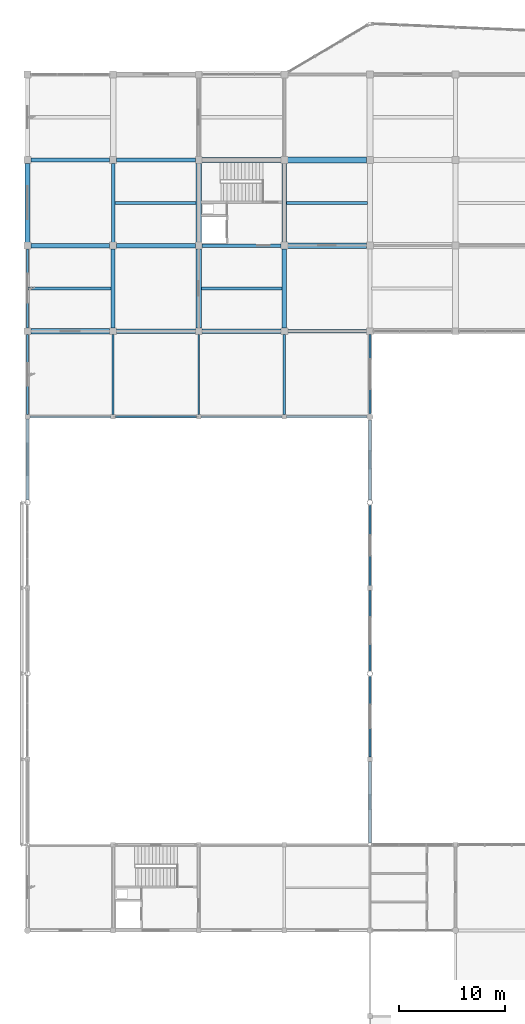
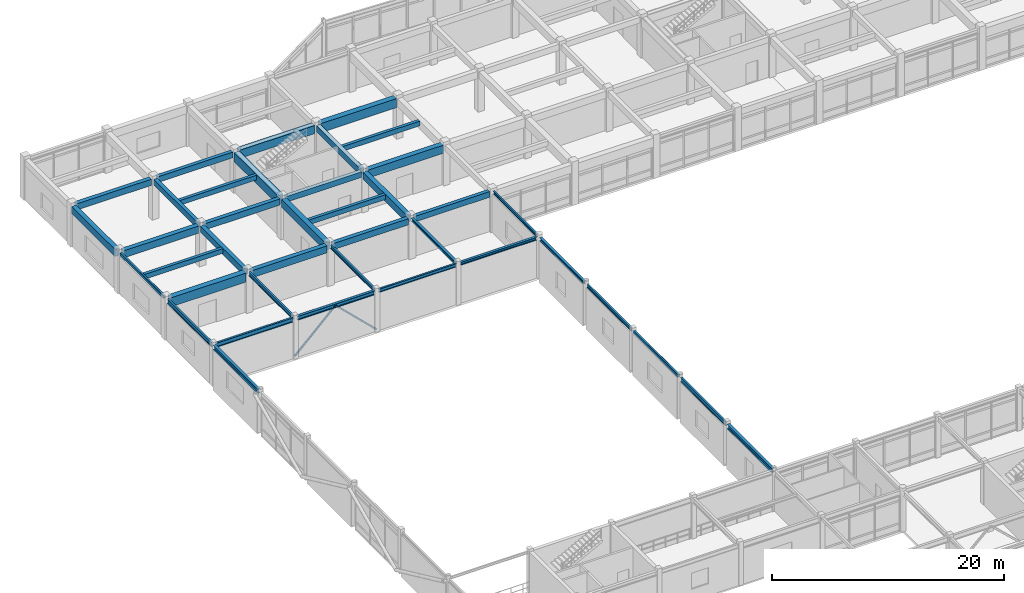
# One storey, part 28 of 93: 39 beams, 2 members.
"""IFC4 building model written with IfcOpenShell, lengths in metres."""

from ifc_helpers import new_model, si_unit, direction, frame, origin, origin_2d, place, context, subcontext, project, spatial, rectangle, hollow_rectangle, i_section, extrude, material, material_profile, profile_set, type_object, element, save


model = new_model("IFC4")

# Units and contexts
model_context = context("Model", 3, precision=1e-05, world=origin(), true_north=direction((0.0, 1.0)))
body_context = subcontext(model_context, "Body", "Model", "MODEL_VIEW")
ifc_project = project(units=[si_unit("LENGTHUNIT", "METRE"), si_unit("AREAUNIT", "SQUARE_METRE"), si_unit("VOLUMEUNIT", "CUBIC_METRE"), si_unit("PLANEANGLEUNIT", "RADIAN"), si_unit("MASSUNIT", "GRAM", prefix="KILO")], contexts=[model_context])

# Site, building, storey
site_placement = place(None, origin())
site = spatial("IfcSite", under=ifc_project, at=site_placement, CompositionType="ELEMENT")
building_placement = place(site_placement, origin())
building = spatial("IfcBuilding", under=site, at=building_placement, Name="Vaudrelin Polytechnic", CompositionType="ELEMENT")
storey_placement = place(building_placement, frame((0.0, 0.0, 5.10009765625)))
storey = spatial("IfcBuildingStorey", under=building, at=storey_placement, Name="L01", CompositionType="ELEMENT", Elevation=5.10009765625)

# Beams
ifc_material_1 = material(Name="Concrete 40 MPa", Category="concrete")
ifc_material_profile_1 = material_profile(ifc_material_1, rectangle(XDim=0.35009765625, YDim=0.60009765625, at=origin_2d()), Name="RC350x600")
ifc_profile_set_1 = profile_set([ifc_material_profile_1], Name="Concrete 40 MPa")
beam_type_1 = type_object("IfcBeamType", Name="BM-BM-RC3560", PredefinedType="BEAM", material=ifc_profile_set_1)
beam_1_placement = place(storey_placement, frame((8.10009765625, 105.610107421875, 3.949951171875), z_axis=(0.0, 1.0, 0.0), x_axis=(-1.0, 0.0, 0.0)))
element("IfcBeam", 1, at=beam_1_placement, inside=storey, type_object=beam_type_1, Name="L01 Y-beam 2-14", PredefinedType="BEAM", context=body_context, shape_type="SweptSolid", body=[
    extrude(rectangle(XDim=0.35009765625, YDim=0.60009765625, at=origin_2d()), origin(), (0.0, 0.0, 1.0), 7.47998046875),
])
for number, where, z_axis, x_axis, name in (
    (2, (8.4208984375, 113.39990234375, 3.949951171875), (1.0, 0.0, 0.0), (0.0, 1.0, 0.0), "L01 X-beam 2-15"),
    (3, (16.52099609375, 105.300048828125, 3.949951171875), (1.0, 0.0, 0.0), (0.0, 1.0, 0.0), "L01 X-beam 3-14"),
    (4, (24.62109375, 97.199951171875, 3.949951171875), (1.0, 0.0, 0.0), (0.0, 1.0, 0.0), "L01 X-beam 4-13"),
):
    element("IfcBeam", number, at=place(storey_placement, frame(where, z_axis=z_axis, x_axis=x_axis)), inside=storey, type_object=beam_type_1, Name=name, PredefinedType="BEAM", context=body_context, shape_type="SweptSolid", body=[
        extrude(rectangle(XDim=0.35009765625, YDim=0.60009765625, at=origin_2d()), origin(), (0.0, 0.0, 1.0), 7.4580078125),
    ])
ifc_material_profile_2 = material_profile(ifc_material_1, rectangle(XDim=0.39990234375, YDim=0.64990234375, at=origin_2d()), Name="RC400x650")
ifc_profile_set_2 = profile_set([ifc_material_profile_2], Name="Concrete 40 MPa")
beam_type_2 = type_object("IfcBeamType", Name="BM-BM-RC4065", PredefinedType="BEAM", material=ifc_profile_set_2)
for number, where, z_axis, x_axis, name in (
    (5, (8.10009765625, 97.510009765625, 3.9248046875), (0.0, 1.0, 0.0), (-1.0, 0.0, 0.0), "L01 Y-beam 2-13"),
    (6, (24.300048828125, 105.610107421875, 3.9248046875), (0.0, 1.0, 0.0), (-1.0, 0.0, 0.0), "L01 Y-beam 4-14"),
):
    element("IfcBeam", number, at=place(storey_placement, frame(where, z_axis=z_axis, x_axis=x_axis)), inside=storey, type_object=beam_type_2, Name=name, PredefinedType="BEAM", context=body_context, shape_type="SweptSolid", body=[
        extrude(rectangle(XDim=0.39990234375, YDim=0.64990234375, at=origin_2d()), origin(), (0.0, 0.0, 1.0), 7.47998046875),
    ])
for number, where, z_axis, x_axis, name in (
    (7, (0.321044921875, 113.39990234375, 3.9248046875), (1.0, 0.0, 0.0), (0.0, 1.0, 0.0), "L01 X-beam 1-15"),
    (8, (8.4208984375, 105.300048828125, 3.9248046875), (1.0, 0.0, 0.0), (0.0, 1.0, 0.0), "L01 X-beam 2-14"),
    (9, (16.52099609375, 97.199951171875, 3.9248046875), (1.0, 0.0, 0.0), (0.0, 1.0, 0.0), "L01 X-beam 3-13"),
):
    element("IfcBeam", number, at=place(storey_placement, frame(where, z_axis=z_axis, x_axis=x_axis)), inside=storey, type_object=beam_type_2, Name=name, PredefinedType="BEAM", context=body_context, shape_type="SweptSolid", body=[
        extrude(rectangle(XDim=0.39990234375, YDim=0.64990234375, at=origin_2d()), origin(), (0.0, 0.0, 1.0), 7.4580078125),
    ])
ifc_material_profile_3 = material_profile(ifc_material_1, rectangle(XDim=0.449951171875, YDim=0.75, at=origin_2d()), Name="RC450x750")
ifc_profile_set_3 = profile_set([ifc_material_profile_3], Name="Concrete 40 MPa")
beam_type_3 = type_object("IfcBeamType", Name="BM-BM-RC4575", PredefinedType="BEAM", material=ifc_profile_set_3)
for number, where, z_axis, x_axis, name in (
    (10, (0.0, 105.610107421875, 3.875), (0.0, 1.0, 0.0), (-1.0, 0.0, 0.0), "L01 Y-beam 1-14"),
    (11, (24.300048828125, 97.510009765625, 3.875), (0.0, 1.0, 0.0), (-1.0, 0.0, 0.0), "L01 Y-beam 4-13"),
):
    element("IfcBeam", number, at=place(storey_placement, frame(where, z_axis=z_axis, x_axis=x_axis)), inside=storey, type_object=beam_type_3, Name=name, PredefinedType="BEAM", context=body_context, shape_type="SweptSolid", body=[
        extrude(rectangle(XDim=0.449951171875, YDim=0.75, at=origin_2d()), origin(), (0.0, 0.0, 1.0), 7.47998046875),
    ])
for number, where, z_axis, x_axis, name in (
    (12, (0.321044921875, 105.300048828125, 3.875), (1.0, 0.0, 0.0), (0.0, 1.0, 0.0), "L01 X-beam 1-14"),
    (13, (8.4208984375, 97.199951171875, 3.875), (1.0, 0.0, 0.0), (0.0, 1.0, 0.0), "L01 X-beam 2-13"),
):
    element("IfcBeam", number, at=place(storey_placement, frame(where, z_axis=z_axis, x_axis=x_axis)), inside=storey, type_object=beam_type_3, Name=name, PredefinedType="BEAM", context=body_context, shape_type="SweptSolid", body=[
        extrude(rectangle(XDim=0.449951171875, YDim=0.75, at=origin_2d()), origin(), (0.0, 0.0, 1.0), 7.4580078125),
    ])
ifc_material_profile_4 = material_profile(ifc_material_1, rectangle(XDim=0.5, YDim=0.85009765625, at=origin_2d()), Name="RC500x850")
ifc_profile_set_4 = profile_set([ifc_material_profile_4], Name="Concrete 40 MPa")
beam_type_4 = type_object("IfcBeamType", Name="BM-BM-RC5085", PredefinedType="BEAM", material=ifc_profile_set_4)
beam_2_placement = place(storey_placement, frame((16.199951171875, 97.510009765625, 3.824951171875), z_axis=(0.0, 1.0, 0.0), x_axis=(-1.0, 0.0, 0.0)))
element("IfcBeam", 14, at=beam_2_placement, inside=storey, type_object=beam_type_4, Name="L01 Y-beam 3-13", PredefinedType="BEAM", context=body_context, shape_type="SweptSolid", body=[
    extrude(rectangle(XDim=0.5, YDim=0.85009765625, at=origin_2d()), origin(), (0.0, 0.0, 1.0), 7.47998046875),
])
for number, where, z_axis, x_axis, name in (
    (15, (16.52099609375, 113.39990234375, 3.824951171875), (1.0, 0.0, 0.0), (0.0, 1.0, 0.0), "L01 X-beam 3-15"),
    (16, (24.62109375, 105.300048828125, 3.824951171875), (1.0, 0.0, 0.0), (0.0, 1.0, 0.0), "L01 X-beam 4-14"),
):
    element("IfcBeam", number, at=place(storey_placement, frame(where, z_axis=z_axis, x_axis=x_axis)), inside=storey, type_object=beam_type_4, Name=name, PredefinedType="BEAM", context=body_context, shape_type="SweptSolid", body=[
        extrude(rectangle(XDim=0.5, YDim=0.85009765625, at=origin_2d()), origin(), (0.0, 0.0, 1.0), 7.4580078125),
    ])
ifc_material_2 = material(Name="Concrete 50 MPa", Category="concrete")
ifc_material_profile_5 = material_profile(ifc_material_2, rectangle(XDim=0.550048828125, YDim=0.949951171875, at=origin_2d()), Name="RC550x950")
ifc_profile_set_5 = profile_set([ifc_material_profile_5], Name="Concrete 50 MPa")
beam_type_5 = type_object("IfcBeamType", Name="BM-BM-RC5595", PredefinedType="BEAM", material=ifc_profile_set_5)
beam_3_placement = place(storey_placement, frame((16.199951171875, 105.610107421875, 3.77490234375), z_axis=(0.0, 1.0, 0.0), x_axis=(-1.0, 0.0, 0.0)))
element("IfcBeam", 17, at=beam_3_placement, inside=storey, type_object=beam_type_5, Name="L01 Y-beam 3-14", PredefinedType="BEAM", context=body_context, shape_type="SweptSolid", body=[
    extrude(rectangle(XDim=0.550048828125, YDim=0.949951171875, at=origin_2d()), origin(), (0.0, 0.0, 1.0), 7.47998046875),
])
for number, where, z_axis, x_axis, name in (
    (18, (0.321044921875, 97.199951171875, 3.77490234375), (1.0, 0.0, 0.0), (0.0, 1.0, 0.0), "L01 X-beam 1-13"),
    (19, (24.62109375, 113.39990234375, 3.77490234375), (1.0, 0.0, 0.0), (0.0, 1.0, 0.0), "L01 X-beam 4-15"),
):
    element("IfcBeam", number, at=place(storey_placement, frame(where, z_axis=z_axis, x_axis=x_axis)), inside=storey, type_object=beam_type_5, Name=name, PredefinedType="BEAM", context=body_context, shape_type="SweptSolid", body=[
        extrude(rectangle(XDim=0.550048828125, YDim=0.949951171875, at=origin_2d()), origin(), (0.0, 0.0, 1.0), 7.4580078125),
    ])
ifc_material_3 = material(Name="Steel CSA G40.21 350W", Category="steel")
ifc_material_profile_6 = material_profile(ifc_material_3, i_section(OverallWidth=0.178955078125, OverallDepth=0.409912109375, WebThickness=0.0087890625, FlangeThickness=0.014404296875, FilletRadius=0.01611328125, at=origin_2d()), Name="W410x67")
ifc_profile_set_6 = profile_set([ifc_material_profile_6], Name="Steel CSA G40.21 350W")
beam_type_6 = type_object("IfcBeamType", Name="BM-BM-W410", PredefinedType="BEAM", material=ifc_profile_set_6)
beam_4_placement = place(storey_placement, frame((8.10009765625, 89.31005859375, 4.10498046875), z_axis=(0.0, 1.0, 0.0), x_axis=(-1.0, 0.0, 0.0)))
element("IfcBeam", 20, at=beam_4_placement, inside=storey, type_object=beam_type_6, Name="L01 Y-beam 2-12", PredefinedType="BEAM", context=body_context, shape_type="SweptSolid", body=[
    extrude(i_section(OverallWidth=0.178955078125, OverallDepth=0.409912109375, WebThickness=0.0087890625, FlangeThickness=0.014404296875, FilletRadius=0.01611328125, at=origin_2d()), origin(), (0.0, 0.0, 1.0), 7.579833984375),
])
ifc_material_4 = material(Name="Steel CSA G40.21 350WT", Category="steel")
ifc_material_profile_7 = material_profile(ifc_material_4, i_section(OverallWidth=0.260009765625, OverallDepth=0.4150390625, WebThickness=0.010009765625, FlangeThickness=0.016845703125, FilletRadius=0.01611328125, at=origin_2d()), Name="W410x100")
ifc_profile_set_7 = profile_set([ifc_material_profile_7], Name="Steel CSA G40.21 350WT")
beam_type_7 = type_object("IfcBeamType", Name="BM-BM-W410H", PredefinedType="SPANDREL", material=ifc_profile_set_7)
beam_5_placement = place(storey_placement, frame((8.321044921875, 89.10009765625, 4.102294921875), z_axis=(1.0, 0.0, 0.0), x_axis=(0.0, 1.0, 0.0)))
element("IfcBeam", 21, at=beam_5_placement, inside=storey, type_object=beam_type_7, Name="L01 X-beam 2-12", PredefinedType="SPANDREL", context=body_context, shape_type="SweptSolid", body=[
    extrude(i_section(OverallWidth=0.260009765625, OverallDepth=0.4150390625, WebThickness=0.010009765625, FlangeThickness=0.016845703125, FilletRadius=0.01611328125, at=origin_2d()), origin(), (0.0, 0.0, 1.0), 7.657958984375),
])
ifc_material_profile_8 = material_profile(ifc_material_4, i_section(OverallWidth=0.19091796875, OverallDepth=0.4599609375, WebThickness=0.010009765625, FlangeThickness=0.01611328125, FilletRadius=0.01806640625, at=origin_2d()), Name="W460x82")
ifc_profile_set_8 = profile_set([ifc_material_profile_8], Name="Steel CSA G40.21 350WT")
beam_type_8 = type_object("IfcBeamType", Name="BM-BM-W460", PredefinedType="BEAM", material=ifc_profile_set_8)
beam_6_placement = place(storey_placement, frame((0.0, 89.31005859375, 4.079833984375), z_axis=(0.0, 1.0, 0.0), x_axis=(-1.0, 0.0, 0.0)))
element("IfcBeam", 22, at=beam_6_placement, inside=storey, type_object=beam_type_8, Name="L01 Y-beam 1-12", PredefinedType="BEAM", context=body_context, shape_type="SweptSolid", body=[
    extrude(i_section(OverallWidth=0.19091796875, OverallDepth=0.4599609375, WebThickness=0.010009765625, FlangeThickness=0.01611328125, FilletRadius=0.01806640625, at=origin_2d()), origin(), (0.0, 0.0, 1.0), 7.579833984375),
])
beam_7_placement = place(storey_placement, frame((32.39990234375, 56.909912109375, 4.079833984375), z_axis=(0.0, 1.0, 0.0), x_axis=(-1.0, 0.0, 0.0)))
element("IfcBeam", 23, at=beam_7_placement, inside=storey, type_object=beam_type_8, Name="L01 Y-beam 5-8", PredefinedType="BEAM", context=body_context, shape_type="SweptSolid", body=[
    extrude(i_section(OverallWidth=0.19091796875, OverallDepth=0.4599609375, WebThickness=0.010009765625, FlangeThickness=0.01611328125, FilletRadius=0.01806640625, at=origin_2d()), origin(), (0.0, 0.0, 1.0), 7.651123046875),
])
beam_8_placement = place(storey_placement, frame((0.220947265625, 89.10009765625, 4.079833984375), z_axis=(1.0, 0.0, 0.0), x_axis=(0.0, 1.0, 0.0)))
element("IfcBeam", 24, at=beam_8_placement, inside=storey, type_object=beam_type_8, Name="L01 X-beam 1-12", PredefinedType="BEAM", context=body_context, shape_type="SweptSolid", body=[
    extrude(i_section(OverallWidth=0.19091796875, OverallDepth=0.4599609375, WebThickness=0.010009765625, FlangeThickness=0.01611328125, FilletRadius=0.01806640625, at=origin_2d()), origin(), (0.0, 0.0, 1.0), 7.657958984375),
])
ifc_material_profile_9 = material_profile(ifc_material_3, i_section(OverallWidth=0.280029296875, OverallDepth=0.462890625, WebThickness=0.0107421875, FlangeThickness=0.017333984375, FilletRadius=0.01806640625, at=origin_2d()), Name="W460x113")
ifc_profile_set_9 = profile_set([ifc_material_profile_9], Name="Steel CSA G40.21 350W")
beam_type_9 = type_object("IfcBeamType", Name="BM-BM-W460H", PredefinedType="BEAM", material=ifc_profile_set_9)
beam_9_placement = place(storey_placement, frame((0.0, 81.239013671875, 4.078369140625), z_axis=(0.0, 1.0, 0.0), x_axis=(-1.0, 0.0, 0.0)))
element("IfcBeam", 25, at=beam_9_placement, inside=storey, type_object=beam_type_9, Name="L01 Y-beam 1-11", PredefinedType="BEAM", context=body_context, shape_type="SweptSolid", body=[
    extrude(i_section(OverallWidth=0.280029296875, OverallDepth=0.462890625, WebThickness=0.0107421875, FlangeThickness=0.017333984375, FilletRadius=0.01806640625, at=origin_2d()), origin(), (0.0, 0.0, 1.0), 7.65087890625),
])
beam_10_placement = place(storey_placement, frame((32.39990234375, 48.7880859375, 4.078369140625), z_axis=(0.0, 1.0, 0.0), x_axis=(-1.0, 0.0, 0.0)))
element("IfcBeam", 26, at=beam_10_placement, inside=storey, type_object=beam_type_9, Name="L01 Y-beam 5-7", PredefinedType="BEAM", context=body_context, shape_type="SweptSolid", body=[
    extrude(i_section(OverallWidth=0.280029296875, OverallDepth=0.462890625, WebThickness=0.0107421875, FlangeThickness=0.017333984375, FilletRadius=0.01806640625, at=origin_2d()), origin(), (0.0, 0.0, 1.0), 7.701904296875),
])
ifc_material_profile_10 = material_profile(ifc_material_1, rectangle(XDim=0.300048828125, YDim=0.5, at=origin_2d()), Name="RC300x500")
ifc_profile_set_10 = profile_set([ifc_material_profile_10], Name="Concrete 40 MPa")
beam_type_10 = type_object("IfcBeamType", Name="BM-JS-RC3050", PredefinedType="JOIST", material=ifc_profile_set_10)
beam_11_placement = place(storey_placement, frame((0.097412109375, 101.25, 4.0), z_axis=(1.0, 0.0, 0.0), x_axis=(0.0, 1.0, 0.0)))
element("IfcBeam", 27, at=beam_11_placement, inside=storey, type_object=beam_type_10, Name="L01 floor joist 1-13", PredefinedType="JOIST", context=body_context, shape_type="SweptSolid", body=[
    extrude(rectangle(XDim=0.300048828125, YDim=0.5, at=origin_2d()), origin(), (0.0, 0.0, 1.0), 7.806640625),
])
beam_12_placement = place(storey_placement, frame((8.27099609375, 109.35009765625, 4.0), z_axis=(1.0, 0.0, 0.0), x_axis=(0.0, 1.0, 0.0)))
element("IfcBeam", 28, at=beam_12_placement, inside=storey, type_object=beam_type_10, Name="L01 floor joist 2-14", PredefinedType="JOIST", context=body_context, shape_type="SweptSolid", body=[
    extrude(rectangle(XDim=0.300048828125, YDim=0.5, at=origin_2d()), origin(), (0.0, 0.0, 1.0), 7.657958984375),
])
beam_13_placement = place(storey_placement, frame((16.446044921875, 101.25, 4.0), z_axis=(1.0, 0.0, 0.0), x_axis=(0.0, 1.0, 0.0)))
element("IfcBeam", 29, at=beam_13_placement, inside=storey, type_object=beam_type_10, Name="L01 floor joist 3-13", PredefinedType="JOIST", context=body_context, shape_type="SweptSolid", body=[
    extrude(rectangle(XDim=0.300048828125, YDim=0.5, at=origin_2d()), origin(), (0.0, 0.0, 1.0), 7.633056640625),
])
beam_14_placement = place(storey_placement, frame((24.49609375, 109.35009765625, 4.0), z_axis=(1.0, 0.0, 0.0), x_axis=(0.0, 1.0, 0.0)))
element("IfcBeam", 30, at=beam_14_placement, inside=storey, type_object=beam_type_10, Name="L01 floor joist 4-14", PredefinedType="JOIST", context=body_context, shape_type="SweptSolid", body=[
    extrude(rectangle(XDim=0.300048828125, YDim=0.5, at=origin_2d()), origin(), (0.0, 0.0, 1.0), 7.657958984375),
])
ifc_material_profile_11 = material_profile(ifc_material_3, i_section(OverallWidth=0.1669921875, OverallDepth=0.31689453125, WebThickness=0.007568359375, FlangeThickness=0.01318359375, FilletRadius=0.013916015625, at=origin_2d()), Name="W310x52")
ifc_profile_set_11 = profile_set([ifc_material_profile_11], Name="Steel CSA G40.21 350W")
beam_type_11 = type_object("IfcBeamType", Name="BM-JS-W310", PredefinedType="JOIST", material=ifc_profile_set_11)
beam_15_placement = place(storey_placement, frame((32.39990234375, 89.385009765625, 4.1513671875), z_axis=(0.0, 1.0, 0.0), x_axis=(-1.0, 0.0, 0.0)))
element("IfcBeam", 31, at=beam_15_placement, inside=storey, type_object=beam_type_11, Name="L01 Y-beam 5-12", PredefinedType="JOIST", context=body_context, shape_type="SweptSolid", body=[
    extrude(i_section(OverallWidth=0.1669921875, OverallDepth=0.31689453125, WebThickness=0.007568359375, FlangeThickness=0.01318359375, FilletRadius=0.013916015625, at=origin_2d()), origin(), (0.0, 0.0, 1.0), 7.5048828125),
])
ifc_material_profile_12 = material_profile(ifc_material_4, i_section(OverallWidth=0.25390625, OverallDepth=0.305908203125, WebThickness=0.0087890625, FlangeThickness=0.0146484375, FilletRadius=0.01611328125, at=origin_2d()), Name="W310x79")
ifc_profile_set_12 = profile_set([ifc_material_profile_12], Name="Steel CSA G40.21 350WT")
beam_type_12 = type_object("IfcBeamType", Name="BM-JS-W310H", PredefinedType="SPANDREL", material=ifc_profile_set_12)
beam_16_placement = place(storey_placement, frame((24.300048828125, 89.31005859375, 4.156982421875), z_axis=(0.0, 1.0, 0.0), x_axis=(-1.0, 0.0, 0.0)))
element("IfcBeam", 32, at=beam_16_placement, inside=storey, type_object=beam_type_12, Name="L01 Y-beam 4-12", PredefinedType="SPANDREL", context=body_context, shape_type="SweptSolid", body=[
    extrude(i_section(OverallWidth=0.25390625, OverallDepth=0.305908203125, WebThickness=0.0087890625, FlangeThickness=0.0146484375, FilletRadius=0.01611328125, at=origin_2d()), origin(), (0.0, 0.0, 1.0), 7.579833984375),
])
beam_17_placement = place(storey_placement, frame((32.39990234375, 81.239013671875, 4.156982421875), z_axis=(0.0, 1.0, 0.0), x_axis=(-1.0, 0.0, 0.0)))
element("IfcBeam", 33, at=beam_17_placement, inside=storey, type_object=beam_type_12, Name="L01 Y-beam 5-11", PredefinedType="SPANDREL", context=body_context, shape_type="SweptSolid", body=[
    extrude(i_section(OverallWidth=0.25390625, OverallDepth=0.305908203125, WebThickness=0.0087890625, FlangeThickness=0.0146484375, FilletRadius=0.01611328125, at=origin_2d()), origin(), (0.0, 0.0, 1.0), 7.575927734375),
])
beam_18_placement = place(storey_placement, frame((24.52099609375, 89.10009765625, 4.156982421875), z_axis=(1.0, 0.0, 0.0), x_axis=(0.0, 1.0, 0.0)))
element("IfcBeam", 34, at=beam_18_placement, inside=storey, type_object=beam_type_12, Name="L01 X-beam 4-12", PredefinedType="SPANDREL", context=body_context, shape_type="SweptSolid", body=[
    extrude(i_section(OverallWidth=0.25390625, OverallDepth=0.305908203125, WebThickness=0.0087890625, FlangeThickness=0.0146484375, FilletRadius=0.01611328125, at=origin_2d()), origin(), (0.0, 0.0, 1.0), 7.5830078125),
])
ifc_material_profile_13 = material_profile(ifc_material_3, i_section(OverallWidth=0.172119140625, OverallDepth=0.35791015625, WebThickness=0.0078125, FlangeThickness=0.01318359375, FilletRadius=0.014892578125, at=origin_2d()), Name="W360x57")
ifc_profile_set_13 = profile_set([ifc_material_profile_13], Name="Steel CSA G40.21 350W")
beam_type_13 = type_object("IfcBeamType", Name="BM-JS-W360", PredefinedType="JOIST", material=ifc_profile_set_13)
beam_19_placement = place(storey_placement, frame((16.199951171875, 89.31005859375, 4.130859375), z_axis=(0.0, 1.0, 0.0), x_axis=(-1.0, 0.0, 0.0)))
element("IfcBeam", 35, at=beam_19_placement, inside=storey, type_object=beam_type_13, Name="L01 Y-beam 3-12", PredefinedType="JOIST", context=body_context, shape_type="SweptSolid", body=[
    extrude(i_section(OverallWidth=0.172119140625, OverallDepth=0.35791015625, WebThickness=0.0078125, FlangeThickness=0.01318359375, FilletRadius=0.014892578125, at=origin_2d()), origin(), (0.0, 0.0, 1.0), 7.579833984375),
])
beam_20_placement = place(storey_placement, frame((32.39990234375, 73.110107421875, 4.130859375), z_axis=(0.0, 1.0, 0.0), x_axis=(-1.0, 0.0, 0.0)))
element("IfcBeam", 36, at=beam_20_placement, inside=storey, type_object=beam_type_13, Name="L01 Y-beam 5-10", PredefinedType="JOIST", context=body_context, shape_type="SweptSolid", body=[
    extrude(i_section(OverallWidth=0.172119140625, OverallDepth=0.35791015625, WebThickness=0.0078125, FlangeThickness=0.01318359375, FilletRadius=0.014892578125, at=origin_2d()), origin(), (0.0, 0.0, 1.0), 7.65087890625),
])
beam_21_placement = place(storey_placement, frame((16.4208984375, 89.10009765625, 4.130859375), z_axis=(1.0, 0.0, 0.0), x_axis=(0.0, 1.0, 0.0)))
element("IfcBeam", 37, at=beam_21_placement, inside=storey, type_object=beam_type_13, Name="L01 X-beam 3-12", PredefinedType="JOIST", context=body_context, shape_type="SweptSolid", body=[
    extrude(i_section(OverallWidth=0.172119140625, OverallDepth=0.35791015625, WebThickness=0.0078125, FlangeThickness=0.01318359375, FilletRadius=0.014892578125, at=origin_2d()), origin(), (0.0, 0.0, 1.0), 7.658203125),
])
ifc_material_profile_14 = material_profile(ifc_material_4, hollow_rectangle(XDim=0.202880859375, YDim=0.304931640625, WallThickness=0.010986328125, InnerFilletRadius=0.010986328125, OuterFilletRadius=0.022216796875, at=origin_2d()), Name="HSS305x203x11.1")
ifc_profile_set_14 = profile_set([ifc_material_profile_14], Name="Steel CSA G40.21 350WT")
beam_type_14 = type_object("IfcBeamType", Name="BM-SP-HSS30", PredefinedType="SPANDREL", material=ifc_profile_set_14)
beam_22_placement = place(storey_placement, frame((0.0, 97.510009765625, 4.097412109375), z_axis=(0.0, 1.0, 0.0), x_axis=(-1.0, 0.0, 0.0)))
element("IfcBeam", 38, at=beam_22_placement, inside=storey, type_object=beam_type_14, Name="L01 Y-beam 1-13", PredefinedType="SPANDREL", context=body_context, shape_type="SweptSolid", body=[
    extrude(hollow_rectangle(XDim=0.202880859375, YDim=0.304931640625, WallThickness=0.010986328125, InnerFilletRadius=0.010986328125, OuterFilletRadius=0.022216796875, at=origin_2d()), origin(), (0.0, 0.0, 1.0), 7.47998046875),
])
beam_23_placement = place(storey_placement, frame((32.39990234375, 65.0390625, 4.157470703125), z_axis=(0.0, 1.0, 0.0), x_axis=(-1.0, 0.0, 0.0)))
element("IfcBeam", 39, at=beam_23_placement, inside=storey, type_object=beam_type_14, Name="L01 Y-beam 5-9", PredefinedType="SPANDREL", context=body_context, shape_type="SweptSolid", body=[
    extrude(hollow_rectangle(XDim=0.202880859375, YDim=0.304931640625, WallThickness=0.010986328125, InnerFilletRadius=0.010986328125, OuterFilletRadius=0.022216796875, at=origin_2d()), origin(), (0.0, 0.0, 1.0), 7.65087890625),
])

# Members
ifc_material_profile_15 = material_profile(ifc_material_3, hollow_rectangle(XDim=0.152099609375, YDim=0.152099609375, WallThickness=0.008056640625, InnerFilletRadius=0.008056640625, OuterFilletRadius=0.01611328125, at=origin_2d()), Name="HSS152x152x8.0")
ifc_profile_set_15 = profile_set([ifc_material_profile_15], Name="Steel CSA G40.21 350W")
member_type = type_object("IfcMemberType", Name="MEM-BF-D01", PredefinedType="BRACE", material=ifc_profile_set_15)
member_1_placement = place(storey_placement, frame((8.10009765625, 89.10009765625, 0.14990234375), z_axis=(0.718080655531, 0.0, 0.695959892632), x_axis=(0.0, 1.0, 0.0)))
element("IfcMember", 40, at=member_1_placement, inside=storey, type_object=member_type, Name="Chevron brace BF-04A", PredefinedType="BRACE", context=body_context, shape_type="SweptSolid", body=[
    extrude(hollow_rectangle(XDim=0.152099609375, YDim=0.152099609375, WallThickness=0.008056640625, InnerFilletRadius=0.008056640625, OuterFilletRadius=0.01611328125, at=origin_2d()), origin(), (0.0, 0.0, 1.0), 5.6396484375),
])
member_2_placement = place(storey_placement, frame((16.199951171875, 89.10009765625, 0.14990234375), z_axis=(-0.718101622101, 0.0, 0.695938258998), x_axis=(0.0, -1.0, 0.0)))
element("IfcMember", 41, at=member_2_placement, inside=storey, type_object=member_type, Name="Chevron brace BF-04B", PredefinedType="BRACE", context=body_context, shape_type="SweptSolid", body=[
    extrude(hollow_rectangle(XDim=0.152099609375, YDim=0.152099609375, WallThickness=0.008056640625, InnerFilletRadius=0.008056640625, OuterFilletRadius=0.01611328125, at=origin_2d()), origin(), (0.0, 0.0, 1.0), 5.639892578125),
])

save(model, "model.ifc")
